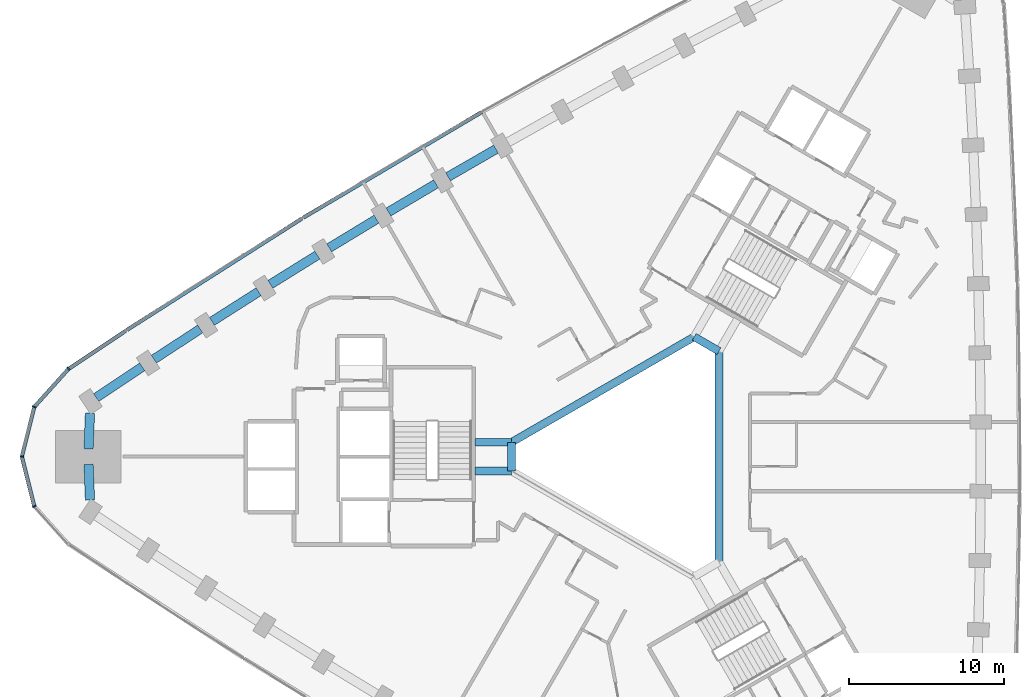
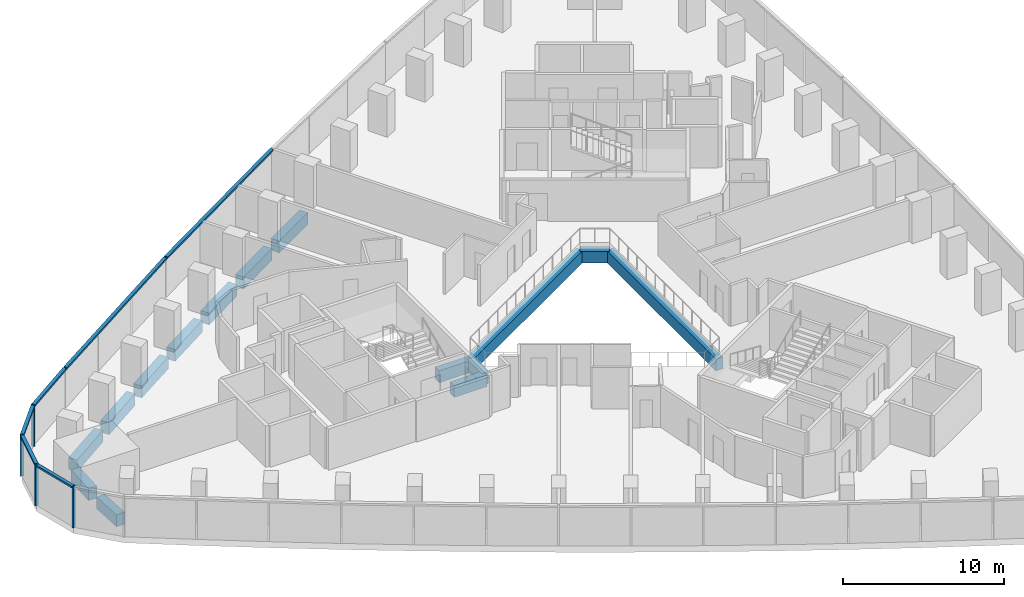
# One storey, part 4 of 13: 15 beams, 10 members, 1 element without a shape of its own.
"""IFC4 building model written with IfcOpenShell, lengths in metres."""

from ifc_helpers import new_model, si_unit, direction, frame, origin, origin_2d, place, context, subcontext, project, spatial, rectangle, extrude, material, material_profile, profile_set, type_object, element, aggregate, save


model = new_model("IFC4")

# Units and contexts
model_context = context("Model", 3, precision=1e-05, world=origin(), true_north=direction((0.0, 1.0)))
body_context = subcontext(model_context, "Body", "Model", "MODEL_VIEW")
ifc_project = project(units=[si_unit("LENGTHUNIT", "METRE"), si_unit("AREAUNIT", "SQUARE_METRE"), si_unit("VOLUMEUNIT", "CUBIC_METRE"), si_unit("PLANEANGLEUNIT", "RADIAN"), si_unit("MASSUNIT", "GRAM", prefix="KILO")], contexts=[model_context])

# Site, building, storey
site_placement = place(None, origin())
site = spatial("IfcSite", under=ifc_project, at=site_placement, CompositionType="ELEMENT")
building_placement = place(site_placement, origin())
building = spatial("IfcBuilding", under=site, at=building_placement, Name="Tamra Quay Hotel Tower", CompositionType="ELEMENT")
storey_placement = place(building_placement, frame((0.0, 0.0, 49.39990234375)))
storey = spatial("IfcBuildingStorey", under=building, at=storey_placement, Name="L10", CompositionType="ELEMENT", Elevation=49.39990234375)

# Beams
ifc_material_1 = material(Name="Concrete M60", Category="concrete")
ifc_material_profile_1 = material_profile(ifc_material_1, rectangle(XDim=0.5, YDim=0.89990234375, at=origin_2d()), Name="ATRIUM EDGE BEAM RC 500x900")
ifc_profile_set_1 = profile_set([ifc_material_profile_1], Name="Concrete M60")
beam_type_1 = type_object("IfcBeamType", Name="ATRIUM EDGE BEAM RC 500x900", PredefinedType="BEAM", material=ifc_profile_set_1)
beam_1_placement = place(storey_placement, frame((5.0, 6.812744140625, -0.9248046875), z_axis=(0.0, -1.0, 0.0), x_axis=(1.0, 0.0, 0.0)))
element("IfcBeam", 1, at=beam_1_placement, inside=storey, type_object=beam_type_1, Name="BM-AB0-L10", PredefinedType="BEAM", context=body_context, shape_type="SweptSolid", body=[
    extrude(rectangle(XDim=0.5, YDim=0.89990234375, at=origin_2d()), origin(), (0.0, 0.0, 1.0), 13.62548828125),
])
beam_2_placement = place(storey_placement, frame((-8.39990234375, -0.923828125, -0.9248046875), z_axis=(0.0, 1.0, 0.0), x_axis=(-1.0, 0.0, 0.0)))
element("IfcBeam", 2, at=beam_2_placement, inside=storey, type_object=beam_type_1, Name="BM-AB3-L10", PredefinedType="BEAM", context=body_context, shape_type="SweptSolid", body=[
    extrude(rectangle(XDim=0.5, YDim=0.89990234375, at=origin_2d()), origin(), (0.0, 0.0, 1.0), 1.84765625),
])
beam_3_placement = place(storey_placement, frame((-8.39990234375, 0.923828125, -0.9248046875), z_axis=(0.866021471679, 0.500006810544, 0.0), x_axis=(-0.500006810544, 0.866021471679, 0.0)))
element("IfcBeam", 3, at=beam_3_placement, inside=storey, type_object=beam_type_1, Name="BM-AB4-L10", PredefinedType="BEAM", context=body_context, shape_type="SweptSolid", body=[
    extrude(rectangle(XDim=0.5, YDim=0.89990234375, at=origin_2d()), origin(), (0.0, 0.0, 1.0), 13.625244140625),
])
beam_4_placement = place(storey_placement, frame((3.39990234375, 7.736572265625, -0.9248046875), z_axis=(0.86602275259, -0.500004591975, 0.0), x_axis=(0.500004591975, 0.86602275259, 0.0)))
element("IfcBeam", 4, at=beam_4_placement, inside=storey, type_object=beam_type_1, Name="BM-AB5-L10", PredefinedType="BEAM", context=body_context, shape_type="SweptSolid", body=[
    extrude(rectangle(XDim=0.5, YDim=0.89990234375, at=origin_2d()), origin(), (0.0, 0.0, 1.0), 1.84765625),
])
ifc_material_profile_2 = material_profile(ifc_material_1, rectangle(XDim=0.5, YDim=0.89990234375, at=origin_2d()), Name="ATRIUM TIE BEAM RC 500x900")
ifc_profile_set_2 = profile_set([ifc_material_profile_2], Name="Concrete M60")
beam_type_2 = type_object("IfcBeamType", Name="ATRIUM TIE BEAM RC 500x900", PredefinedType="BEAM", material=ifc_profile_set_2)
for number, where, z_axis, x_axis, name in (
    (5, (-8.39990234375, -0.923828125, -0.9248046875), (-1.0, 0.0, 0.0), (0.0, -1.0, 0.0), "BM-TIE-3-L10"),
    (6, (-8.39990234375, 0.923828125, -0.9248046875), (-1.0, 0.0, 0.0), (0.0, -1.0, 0.0), "BM-TIE-4-L10"),
):
    element("IfcBeam", number, at=place(storey_placement, frame(where, z_axis=z_axis, x_axis=x_axis)), inside=storey, type_object=beam_type_2, Name=name, PredefinedType="BEAM", context=body_context, shape_type="SweptSolid", body=[
        extrude(rectangle(XDim=0.5, YDim=0.89990234375, at=origin_2d()), origin(), (0.0, 0.0, 1.0), 2.3623046875),
    ])

# Curtain wall, members
ifc_material_2 = material(Name="Aluminium 6063 anodised dark grey", Category="aluminium")
curtain_wall_type = type_object("IfcCurtainWallType", Name="CW2 CURTAIN WALL", PredefinedType="NOTDEFINED", material=ifc_material_2)
curtain_wall_placement = place(storey_placement, origin())
curtain_wall = element("IfcCurtainWall", 7, at=curtain_wall_placement, inside=storey, type_object=curtain_wall_type, Name="CW2 north-west face L10", PredefinedType="NOTDEFINED")
ifc_material_profile_3 = material_profile(ifc_material_2, rectangle(XDim=0.239990234375, YDim=0.10009765625, at=origin_2d()), Name="MULLION 100X240")
ifc_profile_set_3 = profile_set([ifc_material_profile_3], Name="Aluminium 6063 anodised dark grey")
member_type_1 = type_object("IfcMemberType", Name="MULLION CW2 Z1", PredefinedType="MULLION", material=ifc_profile_set_3)
member_1_placement = place(storey_placement, frame((-37.001708984375, 5.6669921875, 0.0), z_axis=(0.0, 0.0, 1.0), x_axis=(-0.654196739281, 0.756324418695, 0.0)))
member_1 = element("IfcMember", 8, at=member_1_placement, type_object=member_type_1, Name="CW2 mullion L10.NW.14", PredefinedType="MULLION", context=body_context, shape_type="SweptSolid", body=[
    extrude(rectangle(XDim=0.239990234375, YDim=0.10009765625, at=origin_2d()), origin(), (0.0, 0.0, 1.0), 3.125),
])
member_2_placement = place(storey_placement, frame((-39.214599609375, 3.209228515625, 0.0), z_axis=(0.0, 0.0, 1.0), x_axis=(-0.882955345235, 0.469456982396, 0.0)))
member_2 = element("IfcMember", 9, at=member_2_placement, type_object=member_type_1, Name="CW2 mullion L10.NW.15", PredefinedType="MULLION", context=body_context, shape_type="SweptSolid", body=[
    extrude(rectangle(XDim=0.239990234375, YDim=0.10009765625, at=origin_2d()), origin(), (0.0, 0.0, 1.0), 3.125),
])
member_3_placement = place(storey_placement, frame((-40.0146484375, 0.0, 0.0), z_axis=(0.0, 0.0, 1.0), x_axis=(-1.0, 0.0, 0.0)))
member_3 = element("IfcMember", 10, at=member_3_placement, type_object=member_type_1, Name="CW2 mullion L10.NW.16", PredefinedType="MULLION", context=body_context, shape_type="SweptSolid", body=[
    extrude(rectangle(XDim=0.239990234375, YDim=0.10009765625, at=origin_2d()), origin(), (0.0, 0.0, 1.0), 3.125),
])
member_4_placement = place(storey_placement, frame((-39.214599609375, -3.209228515625, 0.0), z_axis=(0.0, 0.0, 1.0), x_axis=(-0.882955345235, -0.469456982396, 0.0)))
member_4 = element("IfcMember", 11, at=member_4_placement, type_object=member_type_1, Name="CW2 mullion L10.NW.17", PredefinedType="MULLION", context=body_context, shape_type="SweptSolid", body=[
    extrude(rectangle(XDim=0.239990234375, YDim=0.10009765625, at=origin_2d()), origin(), (0.0, 0.0, 1.0), 3.125),
])

# Beams
ifc_material_profile_4 = material_profile(ifc_material_1, rectangle(XDim=0.60009765625, YDim=0.89990234375, at=origin_2d()), Name="SPANDREL BEAM RC 600x900")
ifc_profile_set_4 = profile_set([ifc_material_profile_4], Name="Concrete M60")
beam_type_3 = type_object("IfcBeamType", Name="SPANDREL BEAM RC 600x900", PredefinedType="SPANDREL", material=ifc_profile_set_4)
beam_5_placement = place(storey_placement, frame((-9.401123046875, 19.853759765625, -0.9248046875), z_axis=(-0.866017069707, -0.500014434768, 0.0), x_axis=(0.500014434768, -0.866017069707, 0.0)))
element("IfcBeam", 12, at=beam_5_placement, inside=storey, type_object=beam_type_3, Name="BM-SP1-021-L10", PredefinedType="SPANDREL", context=body_context, shape_type="SweptSolid", body=[
    extrude(rectangle(XDim=0.60009765625, YDim=0.89990234375, at=origin_2d()), origin(), (0.0, 0.0, 1.0), 3.57080078125),
])
beam_6_placement = place(storey_placement, frame((-13.270263671875, 17.6142578125, -0.9248046875), z_axis=(-0.860524689034, -0.509408735264, 0.0), x_axis=(0.509408735264, -0.860524689034, 0.0)))
element("IfcBeam", 13, at=beam_6_placement, inside=storey, type_object=beam_type_3, Name="BM-SP1-022-L10", PredefinedType="SPANDREL", context=body_context, shape_type="SweptSolid", body=[
    extrude(rectangle(XDim=0.60009765625, YDim=0.89990234375, at=origin_2d()), origin(), (0.0, 0.0, 1.0), 3.570556640625),
])
beam_7_placement = place(storey_placement, frame((-17.114990234375, 15.3330078125, -0.9248046875), z_axis=(-0.854966252085, -0.518683629775, 0.0), x_axis=(0.518683629775, -0.854966252085, 0.0)))
element("IfcBeam", 14, at=beam_7_placement, inside=storey, type_object=beam_type_3, Name="BM-SP1-023-L10", PredefinedType="SPANDREL", context=body_context, shape_type="SweptSolid", body=[
    extrude(rectangle(XDim=0.60009765625, YDim=0.89990234375, at=origin_2d()), origin(), (0.0, 0.0, 1.0), 3.56982421875),
])
beam_8_placement = place(storey_placement, frame((-20.93408203125, 13.010498046875, -0.9248046875), z_axis=(-0.849320953317, -0.527876802158, 0.0), x_axis=(0.527876802158, -0.849320953317, 0.0)))
element("IfcBeam", 15, at=beam_8_placement, inside=storey, type_object=beam_type_3, Name="BM-SP1-024-L10", PredefinedType="SPANDREL", context=body_context, shape_type="SweptSolid", body=[
    extrude(rectangle(XDim=0.60009765625, YDim=0.89990234375, at=origin_2d()), origin(), (0.0, 0.0, 1.0), 3.570556640625),
])
beam_9_placement = place(storey_placement, frame((-24.728515625, 10.646484375, -0.9248046875), z_axis=(-0.843593906333, -0.53698167678, 0.0), x_axis=(0.53698167678, -0.843593906333, 0.0)))
element("IfcBeam", 16, at=beam_9_placement, inside=storey, type_object=beam_type_3, Name="BM-SP1-025-L10", PredefinedType="SPANDREL", context=body_context, shape_type="SweptSolid", body=[
    extrude(rectangle(XDim=0.60009765625, YDim=0.89990234375, at=origin_2d()), origin(), (0.0, 0.0, 1.0), 3.5703125),
])
beam_10_placement = place(storey_placement, frame((-28.4970703125, 8.24169921875, -0.9248046875), z_axis=(-0.837739819239, -0.546069588296, 0.0), x_axis=(0.546069588296, -0.837739819239, 0.0)))
element("IfcBeam", 17, at=beam_10_placement, inside=storey, type_object=beam_type_3, Name="BM-SP1-026-L10", PredefinedType="SPANDREL", context=body_context, shape_type="SweptSolid", body=[
    extrude(rectangle(XDim=0.60009765625, YDim=0.89990234375, at=origin_2d()), origin(), (0.0, 0.0, 1.0), 3.570068359375),
])
beam_11_placement = place(storey_placement, frame((-32.239013671875, 5.796630859375, -0.9248046875), z_axis=(-0.831818807601, -0.555047269448, 0.0), x_axis=(0.555047269448, -0.831818807601, 0.0)))
element("IfcBeam", 18, at=beam_11_placement, inside=storey, type_object=beam_type_3, Name="BM-SP1-027-L10", PredefinedType="SPANDREL", context=body_context, shape_type="SweptSolid", body=[
    extrude(rectangle(XDim=0.60009765625, YDim=0.89990234375, at=origin_2d()), origin(), (0.0, 0.0, 1.0), 3.57080078125),
])
for number, where, z_axis, x_axis, name in (
    (19, (-35.614501953125, 2.805908203125, -0.9248046875), (-0.040711272802, -0.999170952474, 0.0), (0.999170952474, -0.040711272802, 0.0), "BM-SP1-028-L10"),
    (20, (-35.70849609375, -0.4990234375, -0.9248046875), (0.040711272802, -0.999170952474, 0.0), (0.999170952474, 0.040711272802, 0.0), "BM-SP1-029-L10"),
):
    element("IfcBeam", number, at=place(storey_placement, frame(where, z_axis=z_axis, x_axis=x_axis)), inside=storey, type_object=beam_type_3, Name=name, PredefinedType="SPANDREL", context=body_context, shape_type="SweptSolid", body=[
        extrude(rectangle(XDim=0.60009765625, YDim=0.89990234375, at=origin_2d()), origin(), (0.0, 0.0, 1.0), 2.308837890625),
    ])

# Member
ifc_material_profile_5 = material_profile(ifc_material_2, rectangle(XDim=0.239990234375, YDim=0.139892578125, at=origin_2d()), Name="TRANSOM 240X140")
ifc_profile_set_5 = profile_set([ifc_material_profile_5], Name="Aluminium 6063 anodised dark grey")
member_type_2 = type_object("IfcMemberType", Name="TRANSOM CW2 Z1", PredefinedType="USERDEFINED", material=ifc_profile_set_5)
member_5_placement = place(storey_placement, frame((-10.31103515625, 22.25634765625, 3.05517578125), z_axis=(-0.860556136509, -0.509355608506, 0.0), x_axis=(0.509355608506, -0.860556136509, 0.0)))
member_5 = element("IfcMember", 21, at=member_5_placement, type_object=member_type_2, Name="CW2 transom L10.NW.7", ObjectType="TRANSOM", PredefinedType="USERDEFINED", context=body_context, shape_type="SweptSolid", body=[
    extrude(rectangle(XDim=0.239990234375, YDim=0.139892578125, at=origin_2d()), origin(), (0.0, 0.0, 1.0), 13.39306640625),
])

member_6_placement = place(storey_placement, frame((-21.921630859375, 15.38232421875, 3.05517578125), z_axis=(-0.843573654677, -0.537013490646, 0.0), x_axis=(0.537013490646, -0.843573654677, 0.0)))
member_6 = element("IfcMember", 22, at=member_6_placement, type_object=member_type_2, Name="CW2 transom L10.NW.10", ObjectType="TRANSOM", PredefinedType="USERDEFINED", context=body_context, shape_type="SweptSolid", body=[
    extrude(rectangle(XDim=0.239990234375, YDim=0.139892578125, at=origin_2d()), origin(), (0.0, 0.0, 1.0), 13.392822265625),
])

member_7_placement = place(storey_placement, frame((-33.302978515625, 8.135009765625, 3.05517578125), z_axis=(-0.831819549422, -0.555046157719, 0.0), x_axis=(0.555046157719, -0.831819549422, 0.0)))
member_7 = element("IfcMember", 23, at=member_7_placement, type_object=member_type_2, Name="CW2 transom L10.NW.13", ObjectType="TRANSOM", PredefinedType="USERDEFINED", context=body_context, shape_type="SweptSolid", body=[
    extrude(rectangle(XDim=0.239990234375, YDim=0.139892578125, at=origin_2d()), origin(), (0.0, 0.0, 1.0), 4.396484375),
])

member_8_placement = place(storey_placement, frame((-37.03515625, 5.6298828125, 3.05517578125), z_axis=(-0.669103504087, -0.743169227577, 0.0), x_axis=(0.743169227577, -0.669103504087, 0.0)))
member_8 = element("IfcMember", 24, at=member_8_placement, type_object=member_type_2, Name="CW2 transom L10.NW.14", ObjectType="TRANSOM", PredefinedType="USERDEFINED", context=body_context, shape_type="SweptSolid", body=[
    extrude(rectangle(XDim=0.239990234375, YDim=0.139892578125, at=origin_2d()), origin(), (0.0, 0.0, 1.0), 3.207275390625),
])

member_9_placement = place(storey_placement, frame((-39.226806640625, 3.16064453125, 3.05517578125), z_axis=(-0.241908705512, -0.970299014839, 0.0), x_axis=(0.970299014839, -0.241908705512, 0.0)))
member_9 = element("IfcMember", 25, at=member_9_placement, type_object=member_type_2, Name="CW2 transom L10.NW.15", ObjectType="TRANSOM", PredefinedType="USERDEFINED", context=body_context, shape_type="SweptSolid", body=[
    extrude(rectangle(XDim=0.239990234375, YDim=0.139892578125, at=origin_2d()), origin(), (0.0, 0.0, 1.0), 3.207275390625),
])

member_10_placement = place(storey_placement, frame((-40.002685546875, -0.048583984375, 3.05517578125), z_axis=(0.241908705512, -0.970299014839, 0.0), x_axis=(0.970299014839, 0.241908705512, 0.0)))
member_10 = element("IfcMember", 26, at=member_10_placement, type_object=member_type_2, Name="CW2 transom L10.NW.16", ObjectType="TRANSOM", PredefinedType="USERDEFINED", context=body_context, shape_type="SweptSolid", body=[
    extrude(rectangle(XDim=0.239990234375, YDim=0.139892578125, at=origin_2d()), origin(), (0.0, 0.0, 1.0), 3.207275390625),
])

aggregate(curtain_wall, [member_5, member_6, member_7, member_1, member_8, member_2, member_9, member_3, member_10, member_4])

save(model, "model.ifc")
